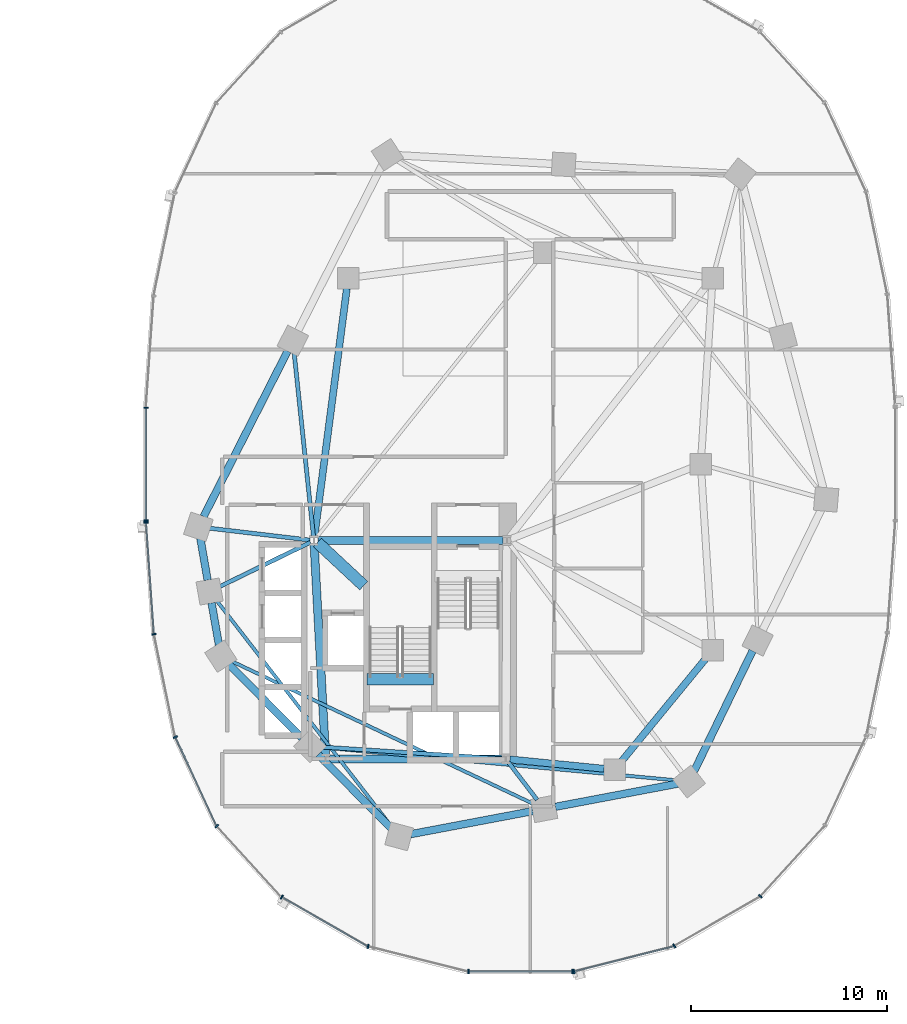
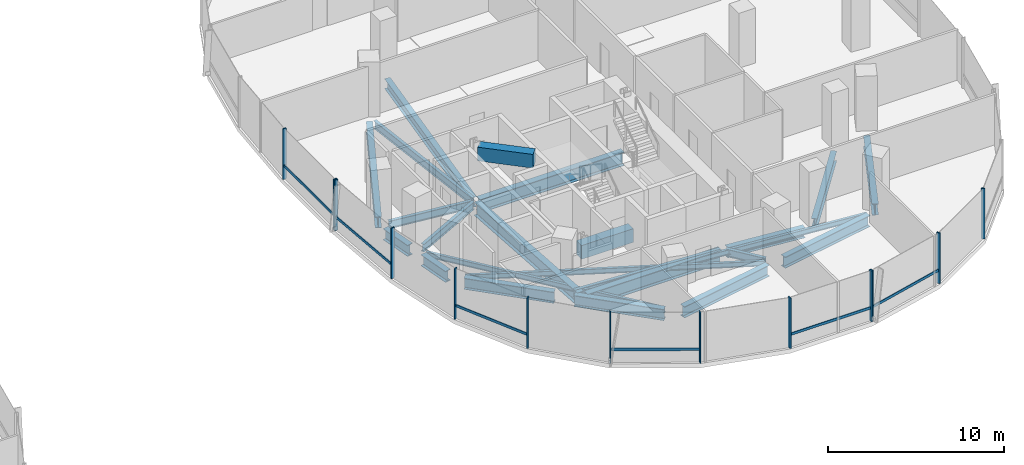
# One storey, part 5 of 21: 24 beams, 19 members, 3 elements without a shape of their own.
"""IFC4 building model written with IfcOpenShell, lengths in metres."""

from ifc_helpers import new_model, si_unit, direction, frame, origin, origin_2d, place, context, subcontext, project, spatial, rectangle, i_section, extrude, material, material_profile, profile_set, type_object, element, aggregate, save


model = new_model("IFC4")

# Units and contexts
model_context = context("Model", 3, precision=1e-05, world=origin(), true_north=direction((0.0, 1.0)))
body_context = subcontext(model_context, "Body", "Model", "MODEL_VIEW")
ifc_project = project(units=[si_unit("LENGTHUNIT", "METRE"), si_unit("AREAUNIT", "SQUARE_METRE"), si_unit("VOLUMEUNIT", "CUBIC_METRE"), si_unit("PLANEANGLEUNIT", "RADIAN"), si_unit("MASSUNIT", "GRAM", prefix="KILO"), si_unit("THERMODYNAMICTEMPERATUREUNIT", "KELVIN"), si_unit("POWERUNIT", "WATT")], contexts=[model_context])

# Site, building, storey
site_placement = place(None, origin())
site = spatial("IfcSite", under=ifc_project, at=site_placement, CompositionType="ELEMENT")
building_placement = place(site_placement, origin())
building = spatial("IfcBuilding", under=site, at=building_placement, Name="Cundina Bronze Exchange", CompositionType="ELEMENT")
storey_placement = place(building_placement, frame((0.0, 0.0, 58.199951171875)))
storey = spatial("IfcBuildingStorey", under=building, at=storey_placement, Name="L14", CompositionType="ELEMENT", Elevation=58.199951171875)

# Beams
ifc_material_1 = material(Name="Concrete C60/75", Category="concrete")
ifc_material_profile_1 = material_profile(ifc_material_1, rectangle(XDim=0.60009765625, YDim=0.949951171875, at=origin_2d()), Name="RC600X950", Category="concrete")
ifc_profile_set_1 = profile_set([ifc_material_profile_1], Name="Concrete C60/75")
beam_type_1 = type_object("IfcBeamType", Name="BM-COUP-RC950", PredefinedType="LINTEL", material=ifc_profile_set_1)
beam_1_placement = place(storey_placement, frame((24.159912109375, -10.97998046875, -0.474853515625), z_axis=(1.0, 0.0, 0.0), x_axis=(0.0, 1.0, 0.0)))
element("IfcBeam", 1, at=beam_1_placement, inside=storey, type_object=beam_type_1, Name="L14 Stair E2 Landing Header Beam", PredefinedType="LINTEL", context=body_context, shape_type="SweptSolid", body=[
    extrude(rectangle(XDim=0.60009765625, YDim=0.949951171875, at=origin_2d()), origin(), (0.0, 0.0, 1.0), 3.400146484375),
])
beam_2_placement = place(storey_placement, frame((21.6298828125, -4.0, 3.025146484375), z_axis=(0.731490439815, -0.681851696822, 0.0), x_axis=(0.681851696822, 0.731490439815, 0.0)))
element("IfcBeam", 2, at=beam_2_placement, inside=storey, type_object=beam_type_1, Name="L14 E Core Shear Coupling Lintel Beam", PredefinedType="LINTEL", context=body_context, shape_type="SweptSolid", body=[
    extrude(rectangle(XDim=0.60009765625, YDim=0.949951171875, at=origin_2d()), origin(), (0.0, 0.0, 1.0), 3.226318359375),
])
ifc_material_2 = material(Name="Steel ASTM A992 Grade 50", Category="steel")
ifc_material_profile_2 = material_profile(ifc_material_2, i_section(OverallWidth=0.2099609375, OverallDepth=0.532958984375, WebThickness=0.01025390625, FlangeThickness=0.015625, FilletRadius=0.013916015625, at=origin_2d()), Name="W21X62", Category="steel")
ifc_profile_set_2 = profile_set([ifc_material_profile_2], Name="Steel ASTM A992 Grade 50")
beam_type_2 = type_object("IfcBeamType", Name="BM-FLR-W21B", PredefinedType="BEAM", material=ifc_profile_set_2)
beam_3_placement = place(storey_placement, frame((21.247314453125, -3.8759765625, -0.56640625), z_axis=(-0.993035236117, 0.117817739878, 0.0), x_axis=(-0.117817739878, -0.993035236117, 0.0)))
element("IfcBeam", 3, at=beam_3_placement, inside=storey, type_object=beam_type_2, Name="L14 Leg E Chordal Floor Beam 00", PredefinedType="BEAM", context=body_context, shape_type="SweptSolid", body=[
    extrude(i_section(OverallWidth=0.2099609375, OverallDepth=0.532958984375, WebThickness=0.01025390625, FlangeThickness=0.015625, FilletRadius=0.013916015625, at=origin_2d()), origin(), (0.0, 0.0, 1.0), 5.1494140625),
])
beam_4_placement = place(storey_placement, frame((21.2666015625, -3.989501953125, -0.56640625), z_axis=(-0.898610249448, -0.438747785849, 0.0), x_axis=(0.438747785849, -0.898610249448, 0.0)))
element("IfcBeam", 4, at=beam_4_placement, inside=storey, type_object=beam_type_2, Name="L14 Leg E Chordal Floor Beam 01", PredefinedType="BEAM", context=body_context, shape_type="SweptSolid", body=[
    extrude(i_section(OverallWidth=0.2099609375, OverallDepth=0.532958984375, WebThickness=0.01025390625, FlangeThickness=0.015625, FilletRadius=0.013916015625, at=origin_2d()), origin(), (0.0, 0.0, 1.0), 5.1337890625),
])
beam_5_placement = place(storey_placement, frame((31.04638671875, -15.036865234375, -0.56640625), z_axis=(-0.99789233798, 0.064891307594, 0.0), x_axis=(-0.064891307594, -0.99789233798, 0.0)))
element("IfcBeam", 5, at=beam_5_placement, inside=storey, type_object=beam_type_2, Name="L14 Leg E Chordal Floor Beam 03", PredefinedType="BEAM", context=body_context, shape_type="SweptSolid", body=[
    extrude(i_section(OverallWidth=0.2099609375, OverallDepth=0.532958984375, WebThickness=0.01025390625, FlangeThickness=0.015625, FilletRadius=0.013916015625, at=origin_2d()), origin(), (0.0, 0.0, 1.0), 9.22900390625),
])
beam_6_placement = place(storey_placement, frame((31.373779296875, -15.2119140625, -0.56640625), z_axis=(0.607468844289, -0.794343504548, 0.0), x_axis=(0.794343504548, 0.607468844289, 0.0)))
element("IfcBeam", 6, at=beam_6_placement, inside=storey, type_object=beam_type_2, Name="L14 Leg E Chordal Floor Beam 05", PredefinedType="BEAM", context=body_context, shape_type="SweptSolid", body=[
    extrude(i_section(OverallWidth=0.2099609375, OverallDepth=0.532958984375, WebThickness=0.01025390625, FlangeThickness=0.015625, FilletRadius=0.013916015625, at=origin_2d()), origin(), (0.0, 0.0, 1.0), 2.418212890625),
])
beam_7_placement = place(storey_placement, frame((21.4287109375, -3.697021484375, -0.56640625), z_axis=(-0.10483517787, 0.994489610544, 0.0), x_axis=(-0.994489610544, -0.10483517787, 0.0)))
element("IfcBeam", 7, at=beam_7_placement, inside=storey, type_object=beam_type_2, Name="L14 Leg E Chordal Floor Beam 13", PredefinedType="BEAM", context=body_context, shape_type="SweptSolid", body=[
    extrude(i_section(OverallWidth=0.2099609375, OverallDepth=0.532958984375, WebThickness=0.01025390625, FlangeThickness=0.015625, FilletRadius=0.013916015625, at=origin_2d()), origin(), (0.0, 0.0, 1.0), 9.46435546875),
])
ifc_material_profile_3 = material_profile(ifc_material_2, i_section(OverallWidth=0.172119140625, OverallDepth=0.35791015625, WebThickness=0.0078125, FlangeThickness=0.01318359375, FilletRadius=0.010009765625, at=origin_2d()), Name="W14X38", Category="steel")
ifc_profile_set_3 = profile_set([ifc_material_profile_3], Name="Steel ASTM A992 Grade 50")
beam_type_3 = type_object("IfcBeamType", Name="BM-JST-W14", PredefinedType="JOIST", material=ifc_profile_set_3)
beam_8_placement = place(storey_placement, frame((16.48486328125, -6.965087890625, -0.47900390625), z_axis=(0.612089386305, -0.790788583108, 0.0), x_axis=(0.790788583108, 0.612089386305, 0.0)))
element("IfcBeam", 8, at=beam_8_placement, inside=storey, type_object=beam_type_3, Name="L14 Leg E Lobe Floor Joist 01-04", PredefinedType="JOIST", context=body_context, shape_type="SweptSolid", body=[
    extrude(i_section(OverallWidth=0.172119140625, OverallDepth=0.35791015625, WebThickness=0.0078125, FlangeThickness=0.01318359375, FilletRadius=0.010009765625, at=origin_2d()), origin(), (0.0, 0.0, 1.0), 14.630859375),
])
beam_9_placement = place(storey_placement, frame((17.231689453125, -10.05126953125, -0.47900390625), z_axis=(0.904072668297, -0.427378766949, 0.0), x_axis=(0.427378766949, 0.904072668297, 0.0)))
element("IfcBeam", 9, at=beam_9_placement, inside=storey, type_object=beam_type_3, Name="L14 Leg E Lobe Floor Joist 02-05", PredefinedType="JOIST", context=body_context, shape_type="SweptSolid", body=[
    extrude(i_section(OverallWidth=0.172119140625, OverallDepth=0.35791015625, WebThickness=0.0078125, FlangeThickness=0.01318359375, FilletRadius=0.010009765625, at=origin_2d()), origin(), (0.0, 0.0, 1.0), 17.07470703125),
])
beam_10_placement = place(storey_placement, frame((21.83544921875, -14.45458984375, -0.47900390625), z_axis=(0.995701961644, -0.09261535282, 0.0), x_axis=(0.09261535282, 0.995701961644, 0.0)))
element("IfcBeam", 10, at=beam_10_placement, inside=storey, type_object=beam_type_3, Name="L14 Leg E Lobe Floor Joist 03-06", PredefinedType="JOIST", context=body_context, shape_type="SweptSolid", body=[
    extrude(i_section(OverallWidth=0.172119140625, OverallDepth=0.35791015625, WebThickness=0.0078125, FlangeThickness=0.01318359375, FilletRadius=0.010009765625, at=origin_2d()), origin(), (0.0, 0.0, 1.0), 18.25732421875),
])
ifc_material_profile_4 = material_profile(ifc_material_2, i_section(OverallWidth=0.35498046875, OverallDepth=0.695068359375, WebThickness=0.015380859375, FlangeThickness=0.02490234375, FilletRadius=0.01806640625, at=origin_2d()), Name="W27X146", Category="steel")
ifc_profile_set_4 = profile_set([ifc_material_profile_4], Name="Steel ASTM A992 Grade 50")
beam_type_4 = type_object("IfcBeamType", Name="BM-RING-W27", PredefinedType="USERDEFINED", material=ifc_profile_set_4)
beam_11_placement = place(storey_placement, frame((31.452880859375, -15.070068359375, -0.6474609375), z_axis=(0.995126271817, -0.098608839051, 0.0), x_axis=(0.098608839051, 0.995126271817, 0.0)))
element("IfcBeam", 11, at=beam_11_placement, inside=storey, type_object=beam_type_4, Name="L14 E Inner Structural Ring Girder 01", ObjectType="GIRDER", PredefinedType="USERDEFINED", context=body_context, shape_type="SweptSolid", body=[
    extrude(i_section(OverallWidth=0.35498046875, OverallDepth=0.695068359375, WebThickness=0.015380859375, FlangeThickness=0.02490234375, FilletRadius=0.01806640625, at=origin_2d()), origin(), (0.0, 0.0, 1.0), 4.83544921875),
])
beam_12_placement = place(storey_placement, frame((37.14111328125, -15.183837890625, -0.6474609375), z_axis=(0.633926549035, 0.773393257295, 0.0), x_axis=(-0.773393257295, 0.633926549035, 0.0)))
element("IfcBeam", 12, at=beam_12_placement, inside=storey, type_object=beam_type_4, Name="L14 E Inner Structural Ring Girder 02", ObjectType="GIRDER", PredefinedType="USERDEFINED", context=body_context, shape_type="SweptSolid", body=[
    extrude(i_section(OverallWidth=0.35498046875, OverallDepth=0.695068359375, WebThickness=0.015380859375, FlangeThickness=0.02490234375, FilletRadius=0.01806640625, at=origin_2d()), origin(), (0.0, 0.0, 1.0), 6.811279296875),
])
beam_13_placement = place(storey_placement, frame((23.13037109375, 8.966552734375, -0.6474609375), z_axis=(-0.129507526533, -0.99157843894, 0.0), x_axis=(0.99157843894, -0.129507526533, 0.0)))
element("IfcBeam", 13, at=beam_13_placement, inside=storey, type_object=beam_type_4, Name="L14 E Inner Structural Ring Girder 07", ObjectType="GIRDER", PredefinedType="USERDEFINED", context=body_context, shape_type="SweptSolid", body=[
    extrude(i_section(OverallWidth=0.35498046875, OverallDepth=0.695068359375, WebThickness=0.015380859375, FlangeThickness=0.02490234375, FilletRadius=0.01806640625, at=origin_2d()), origin(), (0.0, 0.0, 1.0), 12.77197265625),
])
ifc_material_profile_5 = material_profile(ifc_material_2, i_section(OverallWidth=0.381103515625, OverallDepth=0.77294921875, WebThickness=0.0166015625, FlangeThickness=0.027099609375, FilletRadius=0.01904296875, at=origin_2d()), Name="W30X173", Category="steel")
ifc_profile_set_5 = profile_set([ifc_material_profile_5], Name="Steel ASTM A992 Grade 50")
beam_type_5 = type_object("IfcBeamType", Name="BM-RING-W30", PredefinedType="USERDEFINED", material=ifc_profile_set_5)
for number, where, z_axis, x_axis, name in (
    (14, (15.65087890625, -3.779296875, -0.6865234375), (0.171734584051, -0.985143254883, 0.0), (0.985143254883, 0.171734584051, 0.0), "L14 E Perimeter Ring Girder 00"),
    (15, (16.225830078125, -7.079345703125, -0.6865234375), (0.171734584051, -0.985143254883, 0.0), (0.985143254883, 0.171734584051, 0.0), "L14 E Perimeter Ring Girder 01"),
):
    element("IfcBeam", number, at=place(storey_placement, frame(where, z_axis=z_axis, x_axis=x_axis)), inside=storey, type_object=beam_type_5, Name=name, ObjectType="GIRDER", PredefinedType="USERDEFINED", context=body_context, shape_type="SweptSolid", body=[
        extrude(i_section(OverallWidth=0.381103515625, OverallDepth=0.77294921875, WebThickness=0.0166015625, FlangeThickness=0.027099609375, FilletRadius=0.01904296875, at=origin_2d()), origin(), (0.0, 0.0, 1.0), 2.173583984375),
    ])
for number, where, z_axis, x_axis, name in (
    (16, (17.113525390625, -10.218017578125, -0.6865234375), (0.703222428859, -0.710969911845, 0.0), (0.710969911845, 0.703222428859, 0.0), "L14 E Perimeter Ring Girder 02"),
    (17, (21.66357421875, -14.818115234375, -0.6865234375), (0.703222428859, -0.710969911845, 0.0), (0.710969911845, 0.703222428859, 0.0), "L14 E Perimeter Ring Girder 03"),
):
    element("IfcBeam", number, at=place(storey_placement, frame(where, z_axis=z_axis, x_axis=x_axis)), inside=storey, type_object=beam_type_5, Name=name, ObjectType="GIRDER", PredefinedType="USERDEFINED", context=body_context, shape_type="SweptSolid", body=[
        extrude(i_section(OverallWidth=0.381103515625, OverallDepth=0.77294921875, WebThickness=0.0166015625, FlangeThickness=0.027099609375, FilletRadius=0.01904296875, at=origin_2d()), origin(), (0.0, 0.0, 1.0), 5.2939453125),
    ])
beam_14_placement = place(storey_placement, frame((26.377685546875, -18.890625, -0.6865234375), z_axis=(0.982570814598, 0.185888661031, 0.0), x_axis=(-0.185888661031, 0.982570814598, 0.0)))
element("IfcBeam", 18, at=beam_14_placement, inside=storey, type_object=beam_type_5, Name="L14 E Perimeter Ring Girder 04", ObjectType="GIRDER", PredefinedType="USERDEFINED", context=body_context, shape_type="SweptSolid", body=[
    extrude(i_section(OverallWidth=0.381103515625, OverallDepth=0.77294921875, WebThickness=0.0166015625, FlangeThickness=0.027099609375, FilletRadius=0.01904296875, at=origin_2d()), origin(), (0.0, 0.0, 1.0), 6.35546875),
])
beam_15_placement = place(storey_placement, frame((33.77783203125, -17.49072265625, -0.6865234375), z_axis=(0.982569487119, 0.185895677686, 0.0), x_axis=(-0.185895677686, 0.982569487119, 0.0)))
element("IfcBeam", 19, at=beam_15_placement, inside=storey, type_object=beam_type_5, Name="L14 E Perimeter Ring Girder 05", ObjectType="GIRDER", PredefinedType="USERDEFINED", context=body_context, shape_type="SweptSolid", body=[
    extrude(i_section(OverallWidth=0.381103515625, OverallDepth=0.77294921875, WebThickness=0.0166015625, FlangeThickness=0.027099609375, FilletRadius=0.01904296875, at=origin_2d()), origin(), (0.0, 0.0, 1.0), 6.355224609375),
])
beam_16_placement = place(storey_placement, frame((40.857177734375, -15.671142578125, -0.6865234375), z_axis=(0.437190698904, 0.899368830231, 0.0), x_axis=(-0.899368830231, 0.437190698904, 0.0)))
element("IfcBeam", 20, at=beam_16_placement, inside=storey, type_object=beam_type_5, Name="L14 E Perimeter Ring Girder 06", ObjectType="GIRDER", PredefinedType="USERDEFINED", context=body_context, shape_type="SweptSolid", body=[
    extrude(i_section(OverallWidth=0.381103515625, OverallDepth=0.77294921875, WebThickness=0.0166015625, FlangeThickness=0.027099609375, FilletRadius=0.01904296875, at=origin_2d()), origin(), (0.0, 0.0, 1.0), 6.82958984375),
])
beam_17_placement = place(storey_placement, frame((20.108642578125, 5.775634765625, -0.6865234375), z_axis=(-0.452819633606, -0.891602141889, 0.0), x_axis=(0.891602141889, -0.452819633606, 0.0)))
element("IfcBeam", 21, at=beam_17_placement, inside=storey, type_object=beam_type_5, Name="L14 E Perimeter Ring Girder 13", ObjectType="GIRDER", PredefinedType="USERDEFINED", context=body_context, shape_type="SweptSolid", body=[
    extrude(i_section(OverallWidth=0.381103515625, OverallDepth=0.77294921875, WebThickness=0.0166015625, FlangeThickness=0.027099609375, FilletRadius=0.01904296875, at=origin_2d()), origin(), (0.0, 0.0, 1.0), 9.47900390625),
])
ifc_material_profile_6 = material_profile(ifc_material_2, i_section(OverallWidth=0.41796875, OverallDepth=0.927001953125, WebThickness=0.019287109375, FlangeThickness=0.031982421875, FilletRadius=0.02392578125, at=origin_2d()), Name="W36X231", Category="steel")
ifc_profile_set_6 = profile_set([ifc_material_profile_6], Name="Steel ASTM A992 Grade 50")
beam_type_6 = type_object("IfcBeamType", Name="BM-WRN-W36B", PredefinedType="USERDEFINED", material=ifc_profile_set_6)
beam_18_placement = place(storey_placement, frame((31.095947265625, -3.89990234375, -0.763427734375), z_axis=(-1.0, 0.0, 0.0), x_axis=(0.0, -1.0, 0.0)))
element("IfcBeam", 22, at=beam_18_placement, inside=storey, type_object=beam_type_6, Name="L14 E Core Perimeter Tie Girder 1", ObjectType="GIRDER", PredefinedType="USERDEFINED", context=body_context, shape_type="SweptSolid", body=[
    extrude(i_section(OverallWidth=0.41796875, OverallDepth=0.927001953125, WebThickness=0.019287109375, FlangeThickness=0.031982421875, FilletRadius=0.02392578125, at=origin_2d()), origin(), (0.0, 0.0, 1.0), 9.44189453125),
])
beam_19_placement = place(storey_placement, frame((21.4609375, -4.103759765625, -0.763427734375), z_axis=(0.053739193498, -0.998555005537, 0.0), x_axis=(0.998555005537, 0.053739193498, 0.0)))
element("IfcBeam", 23, at=beam_19_placement, inside=storey, type_object=beam_type_6, Name="L14 E Core Perimeter Tie Girder 2", ObjectType="GIRDER", PredefinedType="USERDEFINED", context=body_context, shape_type="SweptSolid", body=[
    extrude(i_section(OverallWidth=0.41796875, OverallDepth=0.927001953125, WebThickness=0.019287109375, FlangeThickness=0.031982421875, FilletRadius=0.02392578125, at=origin_2d()), origin(), (0.0, 0.0, 1.0), 10.758056640625),
])
beam_20_placement = place(storey_placement, frame((22.25390625, -15.050048828125, -0.763427734375), z_axis=(1.0, 0.0, 0.0), x_axis=(0.0, 1.0, 0.0)))
element("IfcBeam", 24, at=beam_20_placement, inside=storey, type_object=beam_type_6, Name="L14 E Core Perimeter Tie Girder 3", ObjectType="GIRDER", PredefinedType="USERDEFINED", context=body_context, shape_type="SweptSolid", body=[
    extrude(i_section(OverallWidth=0.41796875, OverallDepth=0.927001953125, WebThickness=0.019287109375, FlangeThickness=0.031982421875, FilletRadius=0.02392578125, at=origin_2d()), origin(), (0.0, 0.0, 1.0), 8.7919921875),
])

# Curtain wall, members
ifc_material_3 = material(Name="Anodised Bronze Aluminium 6063-T6", Category="aluminium")
curtain_wall_type = type_object("IfcCurtainWallType", Name="CWS-TRD-LOW", PredefinedType="NOTDEFINED", material=ifc_material_3)
curtain_wall_1_placement = place(storey_placement, origin())
curtain_wall_1 = element("IfcCurtainWall", 25, at=curtain_wall_1_placement, inside=storey, type_object=curtain_wall_type, Name="L14 CW-02 Curtain Wall Run CWR-L14-E2", PredefinedType="NOTDEFINED")
ifc_material_profile_7 = material_profile(ifc_material_3, rectangle(XDim=0.074951171875, YDim=0.219970703125, at=origin_2d()), Name="AL75X220", Category="aluminium")
ifc_profile_set_7 = profile_set([ifc_material_profile_7], Name="Anodised Bronze Aluminium 6063-T6")
member_type_1 = type_object("IfcMemberType", Name="CWM-MUL-220", PredefinedType="MULLION", material=ifc_profile_set_7)
member_1_placement = place(storey_placement, frame((12.8720703125, 2.880615234375, 0.0), z_axis=(0.0, 0.0, 1.0), x_axis=(0.0, -1.0, 0.0)))
member_1 = element("IfcMember", 26, at=member_1_placement, type_object=member_type_1, Name="CW-02 Mullion 7", PredefinedType="MULLION", context=body_context, shape_type="SweptSolid", body=[
    extrude(rectangle(XDim=0.074951171875, YDim=0.219970703125, at=origin_2d()), origin(), (0.0, 0.0, 1.0), 3.5),
])
member_2_placement = place(storey_placement, frame((12.8720703125, -2.880615234375, 0.0), z_axis=(0.0, 0.0, 1.0), x_axis=(0.0, -1.0, 0.0)))
member_2 = element("IfcMember", 27, at=member_2_placement, type_object=member_type_1, Name="CW-02 End Mullion", PredefinedType="MULLION", context=body_context, shape_type="SweptSolid", body=[
    extrude(rectangle(XDim=0.074951171875, YDim=0.219970703125, at=origin_2d()), origin(), (0.0, 0.0, 1.0), 3.5),
])

curtain_wall_2_placement = place(storey_placement, origin())
curtain_wall_2 = element("IfcCurtainWall", 28, at=curtain_wall_2_placement, inside=storey, type_object=curtain_wall_type, Name="L14 CW-02 Curtain Wall Run CWR-L14-E3", PredefinedType="NOTDEFINED")
member_3_placement = place(storey_placement, frame((12.87548828125, -2.976318359375, 0.0), z_axis=(0.0, 0.0, 1.0), x_axis=(0.070278787473, -0.997527389113, 0.0)))
member_3 = element("IfcMember", 29, at=member_3_placement, type_object=member_type_1, Name="CW-02 Mullion 1", PredefinedType="MULLION", context=body_context, shape_type="SweptSolid", body=[
    extrude(rectangle(XDim=0.074951171875, YDim=0.219970703125, at=origin_2d()), origin(), (0.0, 0.0, 1.0), 3.5),
])
member_4_placement = place(storey_placement, frame((13.282958984375, -8.67822265625, 0.0), z_axis=(0.0, 0.0, 1.0), x_axis=(0.201419845156, -0.979505000486, 0.0)))
member_4 = element("IfcMember", 30, at=member_4_placement, type_object=member_type_1, Name="CW-02 Mullion 2", PredefinedType="MULLION", context=body_context, shape_type="SweptSolid", body=[
    extrude(rectangle(XDim=0.074951171875, YDim=0.219970703125, at=origin_2d()), origin(), (0.0, 0.0, 1.0), 3.5),
])
member_5_placement = place(storey_placement, frame((14.3720703125, -13.931884765625, 0.0), z_axis=(0.0, 0.0, 1.0), x_axis=(0.42087749791, -0.907117485088, 0.0)))
member_5 = element("IfcMember", 31, at=member_5_placement, type_object=member_type_1, Name="CW-02 Mullion 3", PredefinedType="MULLION", context=body_context, shape_type="SweptSolid", body=[
    extrude(rectangle(XDim=0.074951171875, YDim=0.219970703125, at=origin_2d()), origin(), (0.0, 0.0, 1.0), 3.5),
])
member_6_placement = place(storey_placement, frame((16.491455078125, -18.47705078125, 0.0), z_axis=(0.0, 0.0, 1.0), x_axis=(0.674302387584, -0.738455340626, 0.0)))
member_6 = element("IfcMember", 32, at=member_6_placement, type_object=member_type_1, Name="CW-02 Mullion 4", PredefinedType="MULLION", context=body_context, shape_type="SweptSolid", body=[
    extrude(rectangle(XDim=0.074951171875, YDim=0.219970703125, at=origin_2d()), origin(), (0.0, 0.0, 1.0), 3.5),
])
member_7_placement = place(storey_placement, frame((19.810302734375, -22.097412109375, 0.0), z_axis=(0.0, 0.0, 1.0), x_axis=(0.867070701164, -0.498185105339, 0.0)))
member_7 = element("IfcMember", 33, at=member_7_placement, type_object=member_type_1, Name="CW-02 Mullion 5", PredefinedType="MULLION", context=body_context, shape_type="SweptSolid", body=[
    extrude(rectangle(XDim=0.074951171875, YDim=0.219970703125, at=origin_2d()), origin(), (0.0, 0.0, 1.0), 3.5),
])
member_8_placement = place(storey_placement, frame((24.21484375, -24.61669921875, 0.0), z_axis=(0.0, 0.0, 1.0), x_axis=(0.969488149345, -0.245138182011, 0.0)))
member_8 = element("IfcMember", 34, at=member_8_placement, type_object=member_type_1, Name="CW-02 Mullion 6", PredefinedType="MULLION", context=body_context, shape_type="SweptSolid", body=[
    extrude(rectangle(XDim=0.074951171875, YDim=0.219970703125, at=origin_2d()), origin(), (0.0, 0.0, 1.0), 3.5),
])
member_9_placement = place(storey_placement, frame((29.345458984375, -25.905029296875, 0.0), z_axis=(0.0, 0.0, 1.0), x_axis=(1.0, 0.0, 0.0)))
member_9 = element("IfcMember", 35, at=member_9_placement, type_object=member_type_1, Name="CW-02 Mullion 7", PredefinedType="MULLION", context=body_context, shape_type="SweptSolid", body=[
    extrude(rectangle(XDim=0.074951171875, YDim=0.219970703125, at=origin_2d()), origin(), (0.0, 0.0, 1.0), 3.5),
])
member_10_placement = place(storey_placement, frame((34.654541015625, -25.905029296875, 0.0), z_axis=(0.0, 0.0, 1.0), x_axis=(1.0, 0.0, 0.0)))
member_10 = element("IfcMember", 36, at=member_10_placement, type_object=member_type_1, Name="CW-02 End Mullion", PredefinedType="MULLION", context=body_context, shape_type="SweptSolid", body=[
    extrude(rectangle(XDim=0.074951171875, YDim=0.219970703125, at=origin_2d()), origin(), (0.0, 0.0, 1.0), 3.5),
])

curtain_wall_3_placement = place(storey_placement, origin())
curtain_wall_3 = element("IfcCurtainWall", 37, at=curtain_wall_3_placement, inside=storey, type_object=curtain_wall_type, Name="L14 CW-02 Curtain Wall Run CWR-L14-E4", PredefinedType="NOTDEFINED")
member_11_placement = place(storey_placement, frame((34.72607421875, -25.89599609375, 0.0), z_axis=(0.0, 0.0, 1.0), x_axis=(0.969488149345, 0.245138182011, 0.0)))
member_11 = element("IfcMember", 38, at=member_11_placement, type_object=member_type_1, Name="CW-02 Mullion 1", PredefinedType="MULLION", context=body_context, shape_type="SweptSolid", body=[
    extrude(rectangle(XDim=0.074951171875, YDim=0.219970703125, at=origin_2d()), origin(), (0.0, 0.0, 1.0), 3.5),
])
member_12_placement = place(storey_placement, frame((39.848876953125, -24.591064453125, 0.0), z_axis=(0.0, 0.0, 1.0), x_axis=(0.867070701164, 0.498185105339, 0.0)))
member_12 = element("IfcMember", 39, at=member_12_placement, type_object=member_type_1, Name="CW-02 Mullion 2", PredefinedType="MULLION", context=body_context, shape_type="SweptSolid", body=[
    extrude(rectangle(XDim=0.074951171875, YDim=0.219970703125, at=origin_2d()), origin(), (0.0, 0.0, 1.0), 3.5),
])
member_13_placement = place(storey_placement, frame((44.239501953125, -22.0576171875, 0.0), z_axis=(0.0, 0.0, 1.0), x_axis=(0.674302387584, 0.738455340626, 0.0)))
member_13 = element("IfcMember", 40, at=member_13_placement, type_object=member_type_1, Name="CW-02 Mullion 3", PredefinedType="MULLION", context=body_context, shape_type="SweptSolid", body=[
    extrude(rectangle(XDim=0.074951171875, YDim=0.219970703125, at=origin_2d()), origin(), (0.0, 0.0, 1.0), 3.5),
])

# Member
ifc_material_profile_8 = material_profile(ifc_material_3, rectangle(XDim=0.070068359375, YDim=0.179931640625, at=origin_2d()), Name="AL70X180", Category="aluminium")
ifc_profile_set_8 = profile_set([ifc_material_profile_8], Name="Anodised Bronze Aluminium 6063-T6")
member_type_2 = type_object("IfcMemberType", Name="CWM-TRN-180", PredefinedType="USERDEFINED", material=ifc_profile_set_8)
member_14_placement = place(storey_placement, frame((12.8720703125, 2.839111328125, 0.920166015625), z_axis=(0.0, -1.0, 0.0), x_axis=(1.0, 0.0, 0.0)))
member_14 = element("IfcMember", 41, at=member_14_placement, type_object=member_type_2, Name="CW-02 Spandrel Transom 7", ObjectType="TRANSOM", PredefinedType="USERDEFINED", context=body_context, shape_type="SweptSolid", body=[
    extrude(rectangle(XDim=0.070068359375, YDim=0.179931640625, at=origin_2d()), origin(), (0.0, 0.0, 1.0), 5.67822265625),
])

aggregate(curtain_wall_1, [member_1, member_2, member_14])

member_15_placement = place(storey_placement, frame((12.87841796875, -3.017333984375, 0.920166015625), z_axis=(0.070260714471, -0.997528662246, 0.0), x_axis=(0.997528662246, 0.070260714471, 0.0)))
member_15 = element("IfcMember", 42, at=member_15_placement, type_object=member_type_2, Name="CW-02 Spandrel Transom 1", ObjectType="TRANSOM", PredefinedType="USERDEFINED", context=body_context, shape_type="SweptSolid", body=[
    extrude(rectangle(XDim=0.070068359375, YDim=0.179931640625, at=origin_2d()), origin(), (0.0, 0.0, 1.0), 5.629150390625),
])

member_16_placement = place(storey_placement, frame((14.389404296875, -13.96923828125, 0.920166015625), z_axis=(0.420811422796, -0.907148139195, 0.0), x_axis=(0.907148139195, 0.420811422796, 0.0)))
member_16 = element("IfcMember", 43, at=member_16_placement, type_object=member_type_2, Name="CW-02 Spandrel Transom 3", ObjectType="TRANSOM", PredefinedType="USERDEFINED", context=body_context, shape_type="SweptSolid", body=[
    extrude(rectangle(XDim=0.070068359375, YDim=0.179931640625, at=origin_2d()), origin(), (0.0, 0.0, 1.0), 4.95166015625),
])

member_17_placement = place(storey_placement, frame((19.845947265625, -22.117919921875, 0.920166015625), z_axis=(0.867097475651, -0.498138502546, 0.0), x_axis=(0.498138502546, 0.867097475651, 0.0)))
member_17 = element("IfcMember", 44, at=member_17_placement, type_object=member_type_2, Name="CW-02 Spandrel Transom 5", ObjectType="TRANSOM", PredefinedType="USERDEFINED", context=body_context, shape_type="SweptSolid", body=[
    extrude(rectangle(XDim=0.070068359375, YDim=0.179931640625, at=origin_2d()), origin(), (0.0, 0.0, 1.0), 5.00634765625),
])

member_18_placement = place(storey_placement, frame((29.38671875, -25.905029296875, 0.920166015625), z_axis=(1.0, 0.0, 0.0), x_axis=(0.0, 1.0, 0.0)))
member_18 = element("IfcMember", 45, at=member_18_placement, type_object=member_type_2, Name="CW-02 Spandrel Transom 7", ObjectType="TRANSOM", PredefinedType="USERDEFINED", context=body_context, shape_type="SweptSolid", body=[
    extrude(rectangle(XDim=0.070068359375, YDim=0.179931640625, at=origin_2d()), origin(), (0.0, 0.0, 1.0), 5.2265625),
])

aggregate(curtain_wall_2, [member_3, member_15, member_4, member_5, member_16, member_6, member_7, member_17, member_8, member_9, member_10, member_18])

member_19_placement = place(storey_placement, frame((34.76611328125, -25.885986328125, 0.920166015625), z_axis=(0.969483968866, 0.245154714644, 0.0), x_axis=(-0.245154714644, 0.969483968866, 0.0)))
member_19 = element("IfcMember", 46, at=member_19_placement, type_object=member_type_2, Name="CW-02 Spandrel Transom 1", ObjectType="TRANSOM", PredefinedType="USERDEFINED", context=body_context, shape_type="SweptSolid", body=[
    extrude(rectangle(XDim=0.070068359375, YDim=0.179931640625, at=origin_2d()), origin(), (0.0, 0.0, 1.0), 5.21826171875),
])

aggregate(curtain_wall_3, [member_11, member_19, member_12, member_13])

save(model, "model.ifc")
